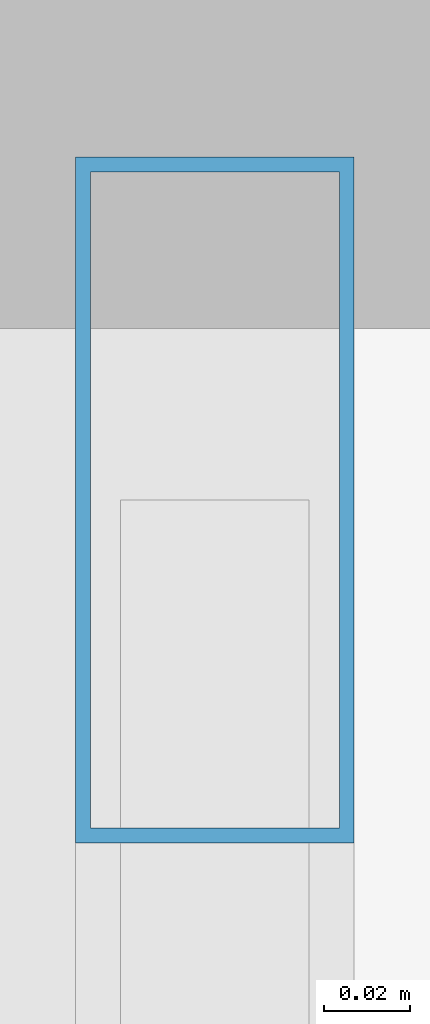
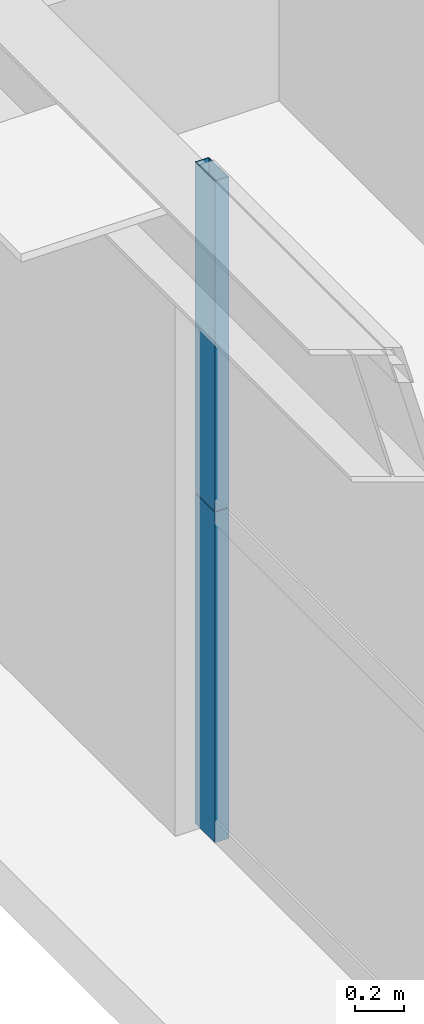
# One storey, part 22 of 36: 2 members, 1 element without a shape of its own.
"""IFC4 building model written with IfcOpenShell, lengths in metres."""

from ifc_helpers import new_model, si_unit, direction, frame, origin, origin_2d, place, context, subcontext, project, spatial, hollow_rectangle, extrude, source, transform, mapped, material, layer, layer_set, material_profile, profile_set, type_object, element, aggregate, save


model = new_model("IFC4")

# Units and contexts
model_context = context("Model", 3, precision=1e-05, world=origin(), true_north=direction((0.0, 1.0)))
body_context = subcontext(model_context, "Body", "Model", "MODEL_VIEW")
ifc_project = project(units=[si_unit("LENGTHUNIT", "METRE"), si_unit("AREAUNIT", "SQUARE_METRE"), si_unit("VOLUMEUNIT", "CUBIC_METRE"), si_unit("PLANEANGLEUNIT", "RADIAN"), si_unit("MASSUNIT", "GRAM", prefix="KILO"), si_unit("THERMODYNAMICTEMPERATUREUNIT", "KELVIN"), si_unit("POWERUNIT", "WATT")], contexts=[model_context])

# Site, building, storey
site_placement = place(None, origin())
site = spatial("IfcSite", under=ifc_project, at=site_placement, CompositionType="ELEMENT")
building_placement = place(site_placement, origin())
building = spatial("IfcBuilding", under=site, at=building_placement, Name="Yuzanri Waterfront Tower", CompositionType="ELEMENT")
storey_placement = place(building_placement, frame((0.0, 0.0, 224.10009765625)))
storey = spatial("IfcBuildingStorey", under=building, at=storey_placement, Name="L59", CompositionType="ELEMENT", Elevation=224.10009765625)

# Curtain wall, members
ifc_material_1 = material(Name="Anodized Architectural Bronze", Category="metal")
ifc_layer = layer(ifc_material_1, 0.159912109375)
ifc_layer_set = layer_set([ifc_layer], Name="Anodized Architectural Bronze")
curtain_wall_type = type_object("IfcCurtainWallType", Name="Anodized Bronze Mid-Rise Residential Acoustic Unitized Curtain Wall 7200", PredefinedType="NOTDEFINED", material=ifc_layer_set)
curtain_wall_placement = place(storey_placement, origin())
curtain_wall = element("IfcCurtainWall", 1, at=curtain_wall_placement, inside=storey, type_object=curtain_wall_type, Name="L59 Curtain Wall CW-L59-WR", PredefinedType="NOTDEFINED")
ifc_material_2 = material(Name="Anodized Architectural Bronze", Category="metal")
ifc_material_profile = material_profile(ifc_material_2, hollow_rectangle(XDim=0.06494140625, YDim=0.159912109375, WallThickness=0.00341796875, at=origin_2d()), Name="CWM 65x160")
ifc_profile_set = profile_set([ifc_material_profile], Name="Anodized Architectural Bronze")
member_type = type_object("IfcMemberType", Name="Anodized Bronze Upper-Zone Curtain-Wall Mullion 65x160", PredefinedType="MULLION", material=ifc_profile_set)
shared_shape = source(origin(), body_context, "Body", "SweptSolid", [
    extrude(hollow_rectangle(XDim=0.06494140625, YDim=0.159912109375, WallThickness=0.00341796875, at=origin_2d()), origin(), (0.0, 0.0, 1.0), 1.637939453125),
])
member_1_placement = place(storey_placement, frame((16.550048828125, 39.010009765625, 0.0), z_axis=(0.0, 0.0, 1.0), x_axis=(1.0, 0.0, 0.0)))
member_1 = element("IfcMember", 2, at=member_1_placement, type_object=member_type, Name="CW-L59-WR Lower Mullion 02", PredefinedType="MULLION", context=body_context, shape_type="MappedRepresentation", body=[
    mapped(shared_shape, transform((0.0, 0.0, 0.0), scale=1.0)),
])
member_2_placement = place(storey_placement, frame((16.550048828125, 39.010009765625, 1.641845703125), z_axis=(0.0, 0.0, 1.0), x_axis=(1.0, 0.0, 0.0)))
member_2 = element("IfcMember", 3, at=member_2_placement, type_object=member_type, Name="CW-L59-WR Upper Mullion 02", PredefinedType="MULLION", context=body_context, shape_type="MappedRepresentation", body=[
    mapped(shared_shape, transform((0.0, 0.0, 0.0), scale=1.0)),
])
aggregate(curtain_wall, [member_1, member_2])

save(model, "model.ifc")
